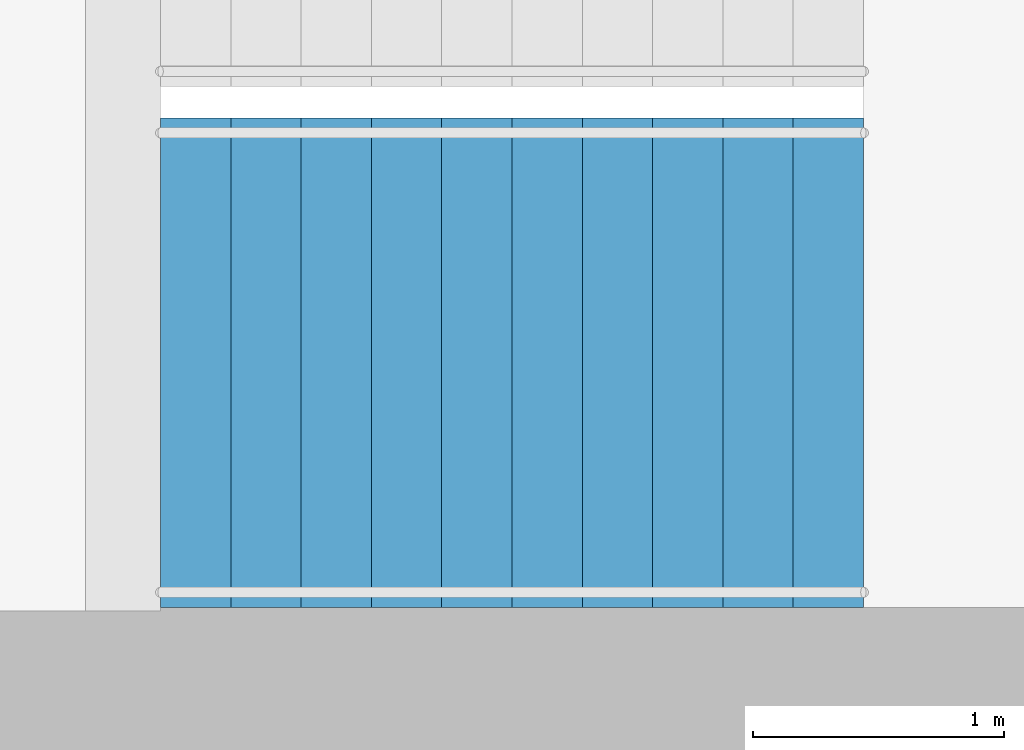
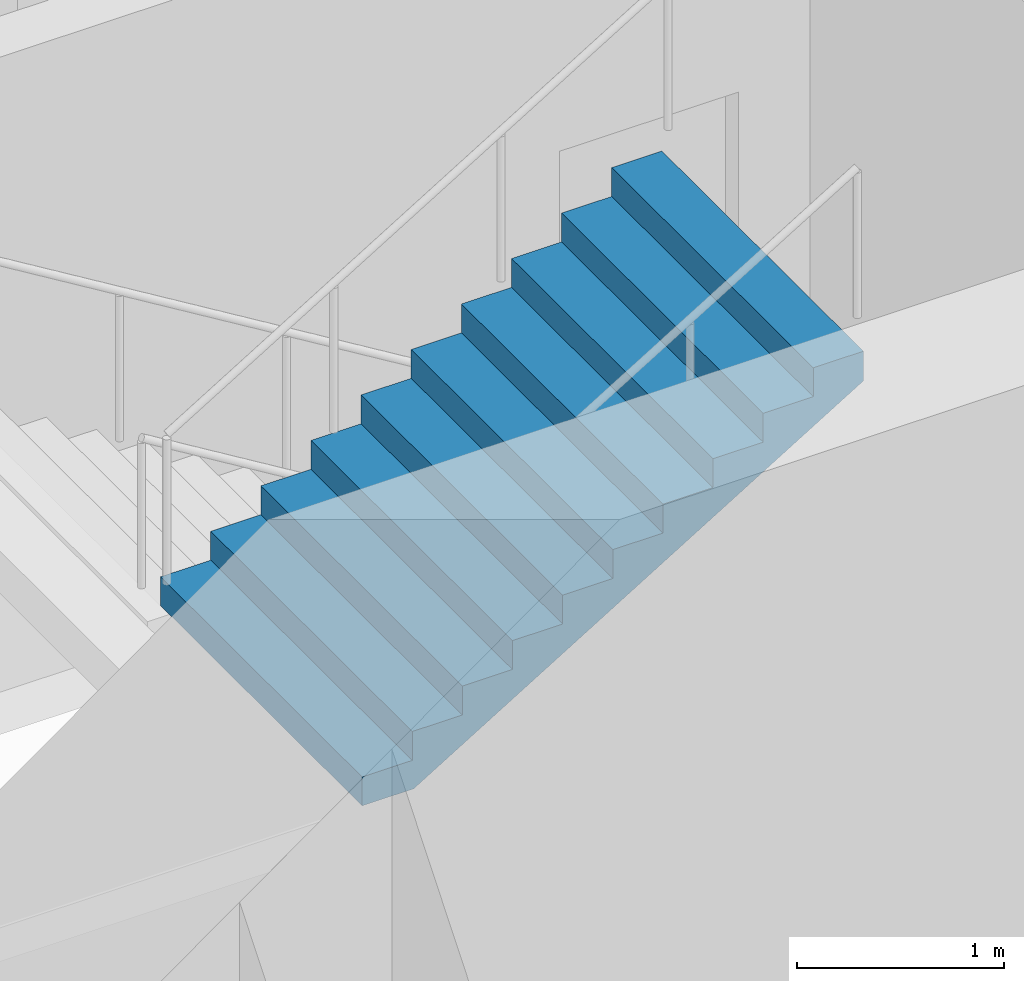
# One storey, part 20 of 22: 1 stair flight, 1 element without a shape of its own.
"""IFC4 building model written with IfcOpenShell, lengths in metres."""

from ifc_helpers import new_model, si_unit, direction, frame, origin, place, context, subcontext, project, spatial, triangles, material, type_object, element, aggregate, save


model = new_model("IFC4")

# Units and contexts
model_context = context("Model", 3, precision=1e-05, world=origin(), true_north=direction((0.0, 1.0)))
body_context = subcontext(model_context, "Body", "Model", "MODEL_VIEW")
ifc_project = project(units=[si_unit("LENGTHUNIT", "METRE"), si_unit("AREAUNIT", "SQUARE_METRE"), si_unit("VOLUMEUNIT", "CUBIC_METRE"), si_unit("PLANEANGLEUNIT", "RADIAN"), si_unit("MASSUNIT", "GRAM", prefix="KILO")], contexts=[model_context])

# Site, building, storey
site_placement = place(None, origin())
site = spatial("IfcSite", under=ifc_project, at=site_placement, CompositionType="ELEMENT")
building_placement = place(site_placement, origin())
building = spatial("IfcBuilding", under=site, at=building_placement, Name="Orbita Commons", CompositionType="ELEMENT")
storey_placement = place(building_placement, frame((0.0, 0.0, 182.35009765625)))
storey = spatial("IfcBuildingStorey", under=building, at=storey_placement, Name="L45", CompositionType="ELEMENT", Elevation=182.35009765625)

# Stair, stair flight
ifc_material_1 = material(Name="Precast concrete C40/50", Category="concrete")
stair_type = type_object("IfcStairType", Name="Exit stair S2 2 flights 11 risers 170", PredefinedType="HALF_TURN_STAIR", material=ifc_material_1)
stair_placement = place(storey_placement, origin())
stair = element("IfcStair", 1, at=stair_placement, inside=storey, type_object=stair_type, Name="Exit stair S2 L45", PredefinedType="HALF_TURN_STAIR")
ifc_material_2 = material(Name="Precast concrete C40/50", Category="concrete")
stair_flight_type = type_object("IfcStairFlightType", Name="Stair flight 11 risers 170 x 280", PredefinedType="STRAIGHT", material=ifc_material_2)
stair_flight_placement = place(storey_placement, frame((60.75, 27.199951171875, 1.875), z_axis=(0.0, 0.0, 1.0), x_axis=(1.0, 0.0, 0.0)))
stair_flight = element("IfcStairFlight", 2, at=stair_flight_placement, type_object=stair_flight_type, Name="S2 flight 2", NumberOfRisers=11, NumberOfTreads=10, PredefinedType="STRAIGHT", RiserHeight=0.170454545, TreadLength=0.28, context=body_context, shape_type="Tessellation", body=[
    triangles([(0.0, 0.974976, 0.0), (0.0, 0.974976, 0.021307), (0.0, 0.81248, 0.021307), (0.0, 0.81248, 0.0), (0.0, 0.649984, 0.021307), (0.0, 0.649984, 0.0), (0.0, 0.487488, 0.021307), (0.0, 0.487488, 0.0), (0.0, 0.324992, 0.021307), (0.0, 0.324992, 0.0), (0.0, 0.162496, 0.021307), (0.0, 0.162496, 0.0), (0.0, 0.0, 0.021307), (0.0, 0.0, 0.0), (0.0, -0.162496, 0.021307), (0.0, -0.162496, 0.0), (0.0, -0.324992, 0.021307), (0.0, -0.324992, 0.0), (0.0, -0.487488, 0.021307), (0.0, -0.487488, 0.0), (0.0, -0.649984, 0.021307), (0.0, -0.649984, 0.0), (0.0, -0.81248, 0.021307), (0.0, -0.81248, 0.0), (0.0, -0.974976, 0.021307), (0.0, -0.974976, 0.0), (0.0, 0.974976, 0.042614), (0.0, 0.81248, 0.042614), (0.0, 0.649984, 0.042614), (0.0, 0.487488, 0.042614), (0.0, 0.324992, 0.042614), (0.0, 0.162496, 0.042614), (0.0, 0.0, 0.042614), (0.0, -0.162496, 0.042614), (0.0, -0.324992, 0.042614), (0.0, -0.487488, 0.042614), (0.0, -0.649984, 0.042614), (0.0, -0.81248, 0.042614), (0.0, -0.974976, 0.042614), (0.0, 0.974976, 0.06392), (0.0, 0.81248, 0.06392), (0.0, 0.649984, 0.06392), (0.0, 0.487488, 0.06392), (0.0, 0.324992, 0.06392), (0.0, 0.162496, 0.06392), (0.0, 0.0, 0.06392), (0.0, -0.162496, 0.06392), (0.0, -0.324992, 0.06392), (0.0, -0.487488, 0.06392), (0.0, -0.649984, 0.06392), (0.0, -0.81248, 0.06392), (0.0, -0.974976, 0.06392), (0.0, 0.974976, 0.085227), (0.0, 0.81248, 0.085227), (0.0, 0.649984, 0.085227), (0.0, 0.487488, 0.085227), (0.0, 0.324992, 0.085227), (0.0, 0.162496, 0.085227), (0.0, 0.0, 0.085227), (0.0, -0.162496, 0.085227), (0.0, -0.324992, 0.085227), (0.0, -0.487488, 0.085227), (0.0, -0.649984, 0.085227), (0.0, -0.81248, 0.085227), (0.0, -0.974976, 0.085227), (0.0, 0.974976, 0.106534), (0.0, 0.81248, 0.106534), (0.0, 0.649984, 0.106534), (0.0, 0.487488, 0.106534), (0.0, 0.324992, 0.106534), (0.0, 0.162496, 0.106534), (0.0, 0.0, 0.106534), (0.0, -0.162496, 0.106534), (0.0, -0.324992, 0.106534), (0.0, -0.487488, 0.106534), (0.0, -0.649984, 0.106534), (0.0, -0.81248, 0.106534), (0.0, -0.974976, 0.106534), (0.0, 0.974976, 0.127841), (0.0, 0.81248, 0.127841), (0.0, 0.649984, 0.127841), (0.0, 0.487488, 0.127841), (0.0, 0.324992, 0.127841), (0.0, 0.162496, 0.127841), (0.0, 0.0, 0.127841), (0.0, -0.162496, 0.127841), (0.0, -0.324992, 0.127841), (0.0, -0.487488, 0.127841), (0.0, -0.649984, 0.127841), (0.0, -0.81248, 0.127841), (0.0, -0.974976, 0.127841), (0.0, 0.974976, 0.149148), (0.0, 0.81248, 0.149148), (0.0, 0.649984, 0.149148), (0.0, 0.487488, 0.149148), (0.0, 0.324992, 0.149148), (0.0, 0.162496, 0.149148), (0.0, 0.0, 0.149148), (0.0, -0.162496, 0.149148), (0.0, -0.324992, 0.149148), (0.0, -0.487488, 0.149148), (0.0, -0.649984, 0.149148), (0.0, -0.81248, 0.149148), (0.0, -0.974976, 0.149148), (0.0, 0.974976, 0.170455), (0.0, 0.81248, 0.170455), (0.0, 0.649984, 0.170455), (0.0, 0.487488, 0.170455), (0.0, 0.324992, 0.170455), (0.0, 0.162496, 0.170455), (0.0, 0.0, 0.170455), (0.0, -0.162496, 0.170455), (0.0, -0.324992, 0.170455), (0.0, -0.487488, 0.170455), (0.0, -0.649984, 0.170455), (0.0, -0.81248, 0.170455), (0.0, -0.974976, 0.170455), (0.28, 0.974976, 0.170455), (0.28, 0.81248, 0.170455), (0.28, 0.649984, 0.170455), (0.28, 0.487488, 0.170455), (0.28, 0.324992, 0.170455), (0.28, 0.162496, 0.170455), (0.28, 0.0, 0.170455), (0.28, -0.162496, 0.170455), (0.28, -0.324992, 0.170455), (0.28, -0.487488, 0.170455), (0.28, -0.649984, 0.170455), (0.28, -0.81248, 0.170455), (0.28, -0.974976, 0.170455), (0.28, 0.974976, 0.340909), (0.28, 0.81248, 0.340909), (0.28, 0.649984, 0.340909), (0.28, 0.487488, 0.340909), (0.28, 0.324992, 0.340909), (0.28, 0.162496, 0.340909), (0.28, 0.0, 0.340909), (0.28, -0.162496, 0.340909), (0.28, -0.324992, 0.340909), (0.28, -0.487488, 0.340909), (0.28, -0.649984, 0.340909), (0.28, -0.81248, 0.340909), (0.28, -0.974976, 0.340909), (0.56, 0.974976, 0.340909), (0.56, 0.81248, 0.340909), (0.56, 0.649984, 0.340909), (0.56, 0.487488, 0.340909), (0.56, 0.324992, 0.340909), (0.56, 0.162496, 0.340909), (0.56, 0.0, 0.340909), (0.56, -0.162496, 0.340909), (0.56, -0.324992, 0.340909), (0.56, -0.487488, 0.340909), (0.56, -0.649984, 0.340909), (0.56, -0.81248, 0.340909), (0.56, -0.974976, 0.340909), (0.56, 0.974976, 0.511364), (0.56, 0.81248, 0.511364), (0.56, 0.649984, 0.511364), (0.56, 0.487488, 0.511364), (0.56, 0.324992, 0.511364), (0.56, 0.162496, 0.511364), (0.56, 0.0, 0.511364), (0.56, -0.162496, 0.511364), (0.56, -0.324992, 0.511364), (0.56, -0.487488, 0.511364), (0.56, -0.649984, 0.511364), (0.56, -0.81248, 0.511364), (0.56, -0.974976, 0.511364), (0.84, 0.974976, 0.511364), (0.84, 0.81248, 0.511364), (0.84, 0.649984, 0.511364), (0.84, 0.487488, 0.511364), (0.84, 0.324992, 0.511364), (0.84, 0.162496, 0.511364), (0.84, 0.0, 0.511364), (0.84, -0.162496, 0.511364), (0.84, -0.324992, 0.511364), (0.84, -0.487488, 0.511364), (0.84, -0.649984, 0.511364), (0.84, -0.81248, 0.511364), (0.84, -0.974976, 0.511364), (0.84, 0.974976, 0.681818), (0.84, 0.81248, 0.681818), (0.84, 0.649984, 0.681818), (0.84, 0.487488, 0.681818), (0.84, 0.324992, 0.681818), (0.84, 0.162496, 0.681818), (0.84, 0.0, 0.681818), (0.84, -0.162496, 0.681818), (0.84, -0.324992, 0.681818), (0.84, -0.487488, 0.681818), (0.84, -0.649984, 0.681818), (0.84, -0.81248, 0.681818), (0.84, -0.974976, 0.681818), (1.12, 0.974976, 0.681818), (1.12, 0.81248, 0.681818), (1.12, 0.649984, 0.681818), (1.12, 0.487488, 0.681818), (1.12, 0.324992, 0.681818), (1.12, 0.162496, 0.681818), (1.12, 0.0, 0.681818), (1.12, -0.162496, 0.681818), (1.12, -0.324992, 0.681818), (1.12, -0.487488, 0.681818), (1.12, -0.649984, 0.681818), (1.12, -0.81248, 0.681818), (1.12, -0.974976, 0.681818), (1.12, 0.974976, 0.852273), (1.12, 0.81248, 0.852273), (1.12, 0.649984, 0.852273), (1.12, 0.487488, 0.852273), (1.12, 0.324992, 0.852273), (1.12, 0.162496, 0.852273), (1.12, 0.0, 0.852273), (1.12, -0.162496, 0.852273), (1.12, -0.324992, 0.852273), (1.12, -0.487488, 0.852273), (1.12, -0.649984, 0.852273), (1.12, -0.81248, 0.852273), (1.12, -0.974976, 0.852273), (1.4, 0.974976, 0.852273), (1.4, 0.81248, 0.852273), (1.4, 0.649984, 0.852273), (1.4, 0.487488, 0.852273), (1.4, 0.324992, 0.852273), (1.4, 0.162496, 0.852273), (1.4, 0.0, 0.852273), (1.4, -0.162496, 0.852273), (1.4, -0.324992, 0.852273), (1.4, -0.487488, 0.852273), (1.4, -0.649984, 0.852273), (1.4, -0.81248, 0.852273), (1.4, -0.974976, 0.852273), (1.4, 0.974976, 1.022727), (1.4, 0.81248, 1.022727), (1.4, 0.649984, 1.022727), (1.4, 0.487488, 1.022727), (1.4, 0.324992, 1.022727), (1.4, 0.162496, 1.022727), (1.4, 0.0, 1.022727), (1.4, -0.162496, 1.022727), (1.4, -0.324992, 1.022727), (1.4, -0.487488, 1.022727), (1.4, -0.649984, 1.022727), (1.4, -0.81248, 1.022727), (1.4, -0.974976, 1.022727), (1.68, 0.974976, 1.022727), (1.68, 0.81248, 1.022727), (1.68, 0.649984, 1.022727), (1.68, 0.487488, 1.022727), (1.68, 0.324992, 1.022727), (1.68, 0.162496, 1.022727), (1.68, 0.0, 1.022727), (1.68, -0.162496, 1.022727), (1.68, -0.324992, 1.022727), (1.68, -0.487488, 1.022727), (1.68, -0.649984, 1.022727), (1.68, -0.81248, 1.022727), (1.68, -0.974976, 1.022727), (1.68, 0.974976, 1.193182), (1.68, 0.81248, 1.193182), (1.68, 0.649984, 1.193182), (1.68, 0.487488, 1.193182), (1.68, 0.324992, 1.193182), (1.68, 0.162496, 1.193182), (1.68, 0.0, 1.193182), (1.68, -0.162496, 1.193182), (1.68, -0.324992, 1.193182), (1.68, -0.487488, 1.193182), (1.68, -0.649984, 1.193182), (1.68, -0.81248, 1.193182), (1.68, -0.974976, 1.193182), (1.96, 0.974976, 1.193182), (1.96, 0.81248, 1.193182), (1.96, 0.649984, 1.193182), (1.96, 0.487488, 1.193182), (1.96, 0.324992, 1.193182), (1.96, 0.162496, 1.193182), (1.96, 0.0, 1.193182), (1.96, -0.162496, 1.193182), (1.96, -0.324992, 1.193182), (1.96, -0.487488, 1.193182), (1.96, -0.649984, 1.193182), (1.96, -0.81248, 1.193182), (1.96, -0.974976, 1.193182), (1.96, 0.974976, 1.363636), (1.96, 0.81248, 1.363636), (1.96, 0.649984, 1.363636), (1.96, 0.487488, 1.363636), (1.96, 0.324992, 1.363636), (1.96, 0.162496, 1.363636), (1.96, 0.0, 1.363636), (1.96, -0.162496, 1.363636), (1.96, -0.324992, 1.363636), (1.96, -0.487488, 1.363636), (1.96, -0.649984, 1.363636), (1.96, -0.81248, 1.363636), (1.96, -0.974976, 1.363636), (2.24, 0.974976, 1.363636), (2.24, 0.81248, 1.363636), (2.24, 0.649984, 1.363636), (2.24, 0.487488, 1.363636), (2.24, 0.324992, 1.363636), (2.24, 0.162496, 1.363636), (2.24, 0.0, 1.363636), (2.24, -0.162496, 1.363636), (2.24, -0.324992, 1.363636), (2.24, -0.487488, 1.363636), (2.24, -0.649984, 1.363636), (2.24, -0.81248, 1.363636), (2.24, -0.974976, 1.363636), (2.24, 0.974976, 1.534091), (2.24, 0.81248, 1.534091), (2.24, 0.649984, 1.534091), (2.24, 0.487488, 1.534091), (2.24, 0.324992, 1.534091), (2.24, 0.162496, 1.534091), (2.24, 0.0, 1.534091), (2.24, -0.162496, 1.534091), (2.24, -0.324992, 1.534091), (2.24, -0.487488, 1.534091), (2.24, -0.649984, 1.534091), (2.24, -0.81248, 1.534091), (2.24, -0.974976, 1.534091), (2.52, 0.974976, 1.534091), (2.52, 0.81248, 1.534091), (2.52, 0.649984, 1.534091), (2.52, 0.487488, 1.534091), (2.52, 0.324992, 1.534091), (2.52, 0.162496, 1.534091), (2.52, 0.0, 1.534091), (2.52, -0.162496, 1.534091), (2.52, -0.324992, 1.534091), (2.52, -0.487488, 1.534091), (2.52, -0.649984, 1.534091), (2.52, -0.81248, 1.534091), (2.52, -0.974976, 1.534091), (2.52, 0.974976, 1.704545), (2.52, 0.81248, 1.704545), (2.52, 0.649984, 1.704545), (2.52, 0.487488, 1.704545), (2.52, 0.324992, 1.704545), (2.52, 0.162496, 1.704545), (2.52, 0.0, 1.704545), (2.52, -0.162496, 1.704545), (2.52, -0.324992, 1.704545), (2.52, -0.487488, 1.704545), (2.52, -0.649984, 1.704545), (2.52, -0.81248, 1.704545), (2.52, -0.974976, 1.704545), (2.8, 0.974976, 1.704545), (2.8, 0.81248, 1.704545), (2.8, 0.649984, 1.704545), (2.8, 0.487488, 1.704545), (2.8, 0.324992, 1.704545), (2.8, 0.162496, 1.704545), (2.8, 0.0, 1.704545), (2.8, -0.162496, 1.704545), (2.8, -0.324992, 1.704545), (2.8, -0.487488, 1.704545), (2.8, -0.649984, 1.704545), (2.8, -0.81248, 1.704545), (2.8, -0.974976, 1.704545), (2.8, 0.974976, 1.682609), (2.8, 0.81248, 1.682609), (2.8, 0.649984, 1.682609), (2.8, 0.487488, 1.682609), (2.8, 0.324992, 1.682609), (2.8, 0.162496, 1.682609), (2.8, 0.0, 1.682609), (2.8, -0.162496, 1.682609), (2.8, -0.324992, 1.682609), (2.8, -0.487488, 1.682609), (2.8, -0.649984, 1.682609), (2.8, -0.81248, 1.682609), (2.8, -0.974976, 1.682609), (2.8, 0.974976, 1.660672), (2.8, 0.81248, 1.660672), (2.8, 0.649984, 1.660672), (2.8, 0.487488, 1.660672), (2.8, 0.324992, 1.660672), (2.8, 0.162496, 1.660672), (2.8, 0.0, 1.660672), (2.8, -0.162496, 1.660672), (2.8, -0.324992, 1.660672), (2.8, -0.487488, 1.660672), (2.8, -0.649984, 1.660672), (2.8, -0.81248, 1.660672), (2.8, -0.974976, 1.660672), (2.8, 0.974976, 1.638735), (2.8, 0.81248, 1.638735), (2.8, 0.649984, 1.638735), (2.8, 0.487488, 1.638735), (2.8, 0.324992, 1.638735), (2.8, 0.162496, 1.638735), (2.8, 0.0, 1.638735), (2.8, -0.162496, 1.638735), (2.8, -0.324992, 1.638735), (2.8, -0.487488, 1.638735), (2.8, -0.649984, 1.638735), (2.8, -0.81248, 1.638735), (2.8, -0.974976, 1.638735), (2.8, 0.974976, 1.616798), (2.8, 0.81248, 1.616798), (2.8, 0.649984, 1.616798), (2.8, 0.487488, 1.616798), (2.8, 0.324992, 1.616798), (2.8, 0.162496, 1.616798), (2.8, 0.0, 1.616798), (2.8, -0.162496, 1.616798), (2.8, -0.324992, 1.616798), (2.8, -0.487488, 1.616798), (2.8, -0.649984, 1.616798), (2.8, -0.81248, 1.616798), (2.8, -0.974976, 1.616798), (2.8, 0.974976, 1.594861), (2.8, 0.81248, 1.594861), (2.8, 0.649984, 1.594861), (2.8, 0.487488, 1.594861), (2.8, 0.324992, 1.594861), (2.8, 0.162496, 1.594861), (2.8, 0.0, 1.594861), (2.8, -0.162496, 1.594861), (2.8, -0.324992, 1.594861), (2.8, -0.487488, 1.594861), (2.8, -0.649984, 1.594861), (2.8, -0.81248, 1.594861), (2.8, -0.974976, 1.594861), (2.8, 0.974976, 1.572925), (2.8, 0.81248, 1.572925), (2.8, 0.649984, 1.572925), (2.8, 0.487488, 1.572925), (2.8, 0.324992, 1.572925), (2.8, 0.162496, 1.572925), (2.8, 0.0, 1.572925), (2.8, -0.162496, 1.572925), (2.8, -0.324992, 1.572925), (2.8, -0.487488, 1.572925), (2.8, -0.649984, 1.572925), (2.8, -0.81248, 1.572925), (2.8, -0.974976, 1.572925), (2.8, 0.974976, 1.550988), (2.8, 0.81248, 1.550988), (2.8, 0.649984, 1.550988), (2.8, 0.487488, 1.550988), (2.8, 0.324992, 1.550988), (2.8, 0.162496, 1.550988), (2.8, 0.0, 1.550988), (2.8, -0.162496, 1.550988), (2.8, -0.324992, 1.550988), (2.8, -0.487488, 1.550988), (2.8, -0.649984, 1.550988), (2.8, -0.81248, 1.550988), (2.8, -0.974976, 1.550988), (2.8, 0.974976, 1.529051), (2.8, 0.81248, 1.529051), (2.8, 0.649984, 1.529051), (2.8, 0.487488, 1.529051), (2.8, 0.324992, 1.529051), (2.8, 0.162496, 1.529051), (2.8, 0.0, 1.529051), (2.8, -0.162496, 1.529051), (2.8, -0.324992, 1.529051), (2.8, -0.487488, 1.529051), (2.8, -0.649984, 1.529051), (2.8, -0.81248, 1.529051), (2.8, -0.974976, 1.529051), (0.288279, 0.974976, 0.0), (0.288279, 0.81248, 0.0), (0.288279, 0.649984, 0.0), (0.288279, 0.487488, 0.0), (0.288279, 0.324992, 0.0), (0.288279, 0.162496, 0.0), (0.288279, 0.0, 0.0), (0.288279, -0.162496, 0.0), (0.288279, -0.324992, 0.0), (0.288279, -0.487488, 0.0), (0.288279, -0.649984, 0.0), (0.288279, -0.81248, 0.0), (0.288279, -0.974976, 0.0)], [[3, 2, 1], [4, 3, 1], [5, 3, 4], [6, 5, 4], [7, 5, 6], [8, 7, 6], [9, 7, 8], [10, 9, 8], [11, 9, 10], [12, 11, 10], [13, 11, 12], [14, 13, 12], [15, 13, 14], [16, 15, 14], [17, 15, 16], [18, 17, 16], [19, 17, 18], [20, 19, 18], [21, 19, 20], [22, 21, 20], [23, 21, 22], [24, 23, 22], [25, 23, 24], [26, 25, 24], [28, 27, 2], [3, 28, 2], [29, 28, 3], [5, 29, 3], [30, 29, 5], [7, 30, 5], [31, 30, 7], [9, 31, 7], [32, 31, 9], [11, 32, 9], [33, 32, 11], [13, 33, 11], [34, 33, 13], [15, 34, 13], [35, 34, 15], [17, 35, 15], [36, 35, 17], [19, 36, 17], [37, 36, 19], [21, 37, 19], [38, 37, 21], [23, 38, 21], [39, 38, 23], [25, 39, 23], [41, 40, 27], [28, 41, 27], [42, 41, 28], [29, 42, 28], [43, 42, 29], [30, 43, 29], [44, 43, 30], [31, 44, 30], [45, 44, 31], [32, 45, 31], [46, 45, 32], [33, 46, 32], [47, 46, 33], [34, 47, 33], [48, 47, 34], [35, 48, 34], [49, 48, 35], [36, 49, 35], [50, 49, 36], [37, 50, 36], [51, 50, 37], [38, 51, 37], [52, 51, 38], [39, 52, 38], [54, 53, 40], [41, 54, 40], [55, 54, 41], [42, 55, 41], [56, 55, 42], [43, 56, 42], [57, 56, 43], [44, 57, 43], [58, 57, 44], [45, 58, 44], [59, 58, 45], [46, 59, 45], [60, 59, 46], [47, 60, 46], [61, 60, 47], [48, 61, 47], [62, 61, 48], [49, 62, 48], [63, 62, 49], [50, 63, 49], [64, 63, 50], [51, 64, 50], [65, 64, 51], [52, 65, 51], [67, 66, 53], [54, 67, 53], [68, 67, 54], [55, 68, 54], [69, 68, 55], [56, 69, 55], [70, 69, 56], [57, 70, 56], [71, 70, 57], [58, 71, 57], [72, 71, 58], [59, 72, 58], [73, 72, 59], [60, 73, 59], [74, 73, 60], [61, 74, 60], [75, 74, 61], [62, 75, 61], [76, 75, 62], [63, 76, 62], [77, 76, 63], [64, 77, 63], [78, 77, 64], [65, 78, 64], [80, 79, 66], [67, 80, 66], [81, 80, 67], [68, 81, 67], [82, 81, 68], [69, 82, 68], [83, 82, 69], [70, 83, 69], [84, 83, 70], [71, 84, 70], [85, 84, 71], [72, 85, 71], [86, 85, 72], [73, 86, 72], [87, 86, 73], [74, 87, 73], [88, 87, 74], [75, 88, 74], [89, 88, 75], [76, 89, 75], [90, 89, 76], [77, 90, 76], [91, 90, 77], [78, 91, 77], [93, 92, 79], [80, 93, 79], [94, 93, 80], [81, 94, 80], [95, 94, 81], [82, 95, 81], [96, 95, 82], [83, 96, 82], [97, 96, 83], [84, 97, 83], [98, 97, 84], [85, 98, 84], [99, 98, 85], [86, 99, 85], [100, 99, 86], [87, 100, 86], [101, 100, 87], [88, 101, 87], [102, 101, 88], [89, 102, 88], [103, 102, 89], [90, 103, 89], [104, 103, 90], [91, 104, 90], [106, 105, 92], [93, 106, 92], [107, 106, 93], [94, 107, 93], [108, 107, 94], [95, 108, 94], [109, 108, 95], [96, 109, 95], [110, 109, 96], [97, 110, 96], [111, 110, 97], [98, 111, 97], [112, 111, 98], [99, 112, 98], [113, 112, 99], [100, 113, 99], [114, 113, 100], [101, 114, 100], [115, 114, 101], [102, 115, 101], [116, 115, 102], [103, 116, 102], [117, 116, 103], [104, 117, 103], [119, 118, 105], [106, 119, 105], [120, 119, 106], [107, 120, 106], [121, 120, 107], [108, 121, 107], [122, 121, 108], [109, 122, 108], [123, 122, 109], [110, 123, 109], [124, 123, 110], [111, 124, 110], [125, 124, 111], [112, 125, 111], [126, 125, 112], [113, 126, 112], [127, 126, 113], [114, 127, 113], [128, 127, 114], [115, 128, 114], [129, 128, 115], [116, 129, 115], [130, 129, 116], [117, 130, 116], [132, 131, 118], [119, 132, 118], [133, 132, 119], [120, 133, 119], [134, 133, 120], [121, 134, 120], [135, 134, 121], [122, 135, 121], [136, 135, 122], [123, 136, 122], [137, 136, 123], [124, 137, 123], [138, 137, 124], [125, 138, 124], [139, 138, 125], [126, 139, 125], [140, 139, 126], [127, 140, 126], [141, 140, 127], [128, 141, 127], [142, 141, 128], [129, 142, 128], [143, 142, 129], [130, 143, 129], [145, 144, 131], [132, 145, 131], [146, 145, 132], [133, 146, 132], [147, 146, 133], [134, 147, 133], [148, 147, 134], [135, 148, 134], [149, 148, 135], [136, 149, 135], [150, 149, 136], [137, 150, 136], [151, 150, 137], [138, 151, 137], [152, 151, 138], [139, 152, 138], [153, 152, 139], [140, 153, 139], [154, 153, 140], [141, 154, 140], [155, 154, 141], [142, 155, 141], [156, 155, 142], [143, 156, 142], [158, 157, 144], [145, 158, 144], [159, 158, 145], [146, 159, 145], [160, 159, 146], [147, 160, 146], [161, 160, 147], [148, 161, 147], [162, 161, 148], [149, 162, 148], [163, 162, 149], [150, 163, 149], [164, 163, 150], [151, 164, 150], [165, 164, 151], [152, 165, 151], [166, 165, 152], [153, 166, 152], [167, 166, 153], [154, 167, 153], [168, 167, 154], [155, 168, 154], [169, 168, 155], [156, 169, 155], [171, 170, 157], [158, 171, 157], [172, 171, 158], [159, 172, 158], [173, 172, 159], [160, 173, 159], [174, 173, 160], [161, 174, 160], [175, 174, 161], [162, 175, 161], [176, 175, 162], [163, 176, 162], [177, 176, 163], [164, 177, 163], [178, 177, 164], [165, 178, 164], [179, 178, 165], [166, 179, 165], [180, 179, 166], [167, 180, 166], [181, 180, 167], [168, 181, 167], [182, 181, 168], [169, 182, 168], [184, 183, 170], [171, 184, 170], [185, 184, 171], [172, 185, 171], [186, 185, 172], [173, 186, 172], [187, 186, 173], [174, 187, 173], [188, 187, 174], [175, 188, 174], [189, 188, 175], [176, 189, 175], [190, 189, 176], [177, 190, 176], [191, 190, 177], [178, 191, 177], [192, 191, 178], [179, 192, 178], [193, 192, 179], [180, 193, 179], [194, 193, 180], [181, 194, 180], [195, 194, 181], [182, 195, 181], [197, 196, 183], [184, 197, 183], [198, 197, 184], [185, 198, 184], [199, 198, 185], [186, 199, 185], [200, 199, 186], [187, 200, 186], [201, 200, 187], [188, 201, 187], [202, 201, 188], [189, 202, 188], [203, 202, 189], [190, 203, 189], [204, 203, 190], [191, 204, 190], [205, 204, 191], [192, 205, 191], [206, 205, 192], [193, 206, 192], [207, 206, 193], [194, 207, 193], [208, 207, 194], [195, 208, 194], [210, 209, 196], [197, 210, 196], [211, 210, 197], [198, 211, 197], [212, 211, 198], [199, 212, 198], [213, 212, 199], [200, 213, 199], [214, 213, 200], [201, 214, 200], [215, 214, 201], [202, 215, 201], [216, 215, 202], [203, 216, 202], [217, 216, 203], [204, 217, 203], [218, 217, 204], [205, 218, 204], [219, 218, 205], [206, 219, 205], [220, 219, 206], [207, 220, 206], [221, 220, 207], [208, 221, 207], [223, 222, 209], [210, 223, 209], [224, 223, 210], [211, 224, 210], [225, 224, 211], [212, 225, 211], [226, 225, 212], [213, 226, 212], [227, 226, 213], [214, 227, 213], [228, 227, 214], [215, 228, 214], [229, 228, 215], [216, 229, 215], [230, 229, 216], [217, 230, 216], [231, 230, 217], [218, 231, 217], [232, 231, 218], [219, 232, 218], [233, 232, 219], [220, 233, 219], [234, 233, 220], [221, 234, 220], [236, 235, 222], [223, 236, 222], [237, 236, 223], [224, 237, 223], [238, 237, 224], [225, 238, 224], [239, 238, 225], [226, 239, 225], [240, 239, 226], [227, 240, 226], [241, 240, 227], [228, 241, 227], [242, 241, 228], [229, 242, 228], [243, 242, 229], [230, 243, 229], [244, 243, 230], [231, 244, 230], [245, 244, 231], [232, 245, 231], [246, 245, 232], [233, 246, 232], [247, 246, 233], [234, 247, 233], [249, 248, 235], [236, 249, 235], [250, 249, 236], [237, 250, 236], [251, 250, 237], [238, 251, 237], [252, 251, 238], [239, 252, 238], [253, 252, 239], [240, 253, 239], [254, 253, 240], [241, 254, 240], [255, 254, 241], [242, 255, 241], [256, 255, 242], [243, 256, 242], [257, 256, 243], [244, 257, 243], [258, 257, 244], [245, 258, 244], [259, 258, 245], [246, 259, 245], [260, 259, 246], [247, 260, 246], [262, 261, 248], [249, 262, 248], [263, 262, 249], [250, 263, 249], [264, 263, 250], [251, 264, 250], [265, 264, 251], [252, 265, 251], [266, 265, 252], [253, 266, 252], [267, 266, 253], [254, 267, 253], [268, 267, 254], [255, 268, 254], [269, 268, 255], [256, 269, 255], [270, 269, 256], [257, 270, 256], [271, 270, 257], [258, 271, 257], [272, 271, 258], [259, 272, 258], [273, 272, 259], [260, 273, 259], [275, 274, 261], [262, 275, 261], [276, 275, 262], [263, 276, 262], [277, 276, 263], [264, 277, 263], [278, 277, 264], [265, 278, 264], [279, 278, 265], [266, 279, 265], [280, 279, 266], [267, 280, 266], [281, 280, 267], [268, 281, 267], [282, 281, 268], [269, 282, 268], [283, 282, 269], [270, 283, 269], [284, 283, 270], [271, 284, 270], [285, 284, 271], [272, 285, 271], [286, 285, 272], [273, 286, 272], [288, 287, 274], [275, 288, 274], [289, 288, 275], [276, 289, 275], [290, 289, 276], [277, 290, 276], [291, 290, 277], [278, 291, 277], [292, 291, 278], [279, 292, 278], [293, 292, 279], [280, 293, 279], [294, 293, 280], [281, 294, 280], [295, 294, 281], [282, 295, 281], [296, 295, 282], [283, 296, 282], [297, 296, 283], [284, 297, 283], [298, 297, 284], [285, 298, 284], [299, 298, 285], [286, 299, 285], [301, 300, 287], [288, 301, 287], [302, 301, 288], [289, 302, 288], [303, 302, 289], [290, 303, 289], [304, 303, 290], [291, 304, 290], [305, 304, 291], [292, 305, 291], [306, 305, 292], [293, 306, 292], [307, 306, 293], [294, 307, 293], [308, 307, 294], [295, 308, 294], [309, 308, 295], [296, 309, 295], [310, 309, 296], [297, 310, 296], [311, 310, 297], [298, 311, 297], [312, 311, 298], [299, 312, 298], [314, 313, 300], [301, 314, 300], [315, 314, 301], [302, 315, 301], [316, 315, 302], [303, 316, 302], [317, 316, 303], [304, 317, 303], [318, 317, 304], [305, 318, 304], [319, 318, 305], [306, 319, 305], [320, 319, 306], [307, 320, 306], [321, 320, 307], [308, 321, 307], [322, 321, 308], [309, 322, 308], [323, 322, 309], [310, 323, 309], [324, 323, 310], [311, 324, 310], [325, 324, 311], [312, 325, 311], [327, 326, 313], [314, 327, 313], [328, 327, 314], [315, 328, 314], [329, 328, 315], [316, 329, 315], [330, 329, 316], [317, 330, 316], [331, 330, 317], [318, 331, 317], [332, 331, 318], [319, 332, 318], [333, 332, 319], [320, 333, 319], [334, 333, 320], [321, 334, 320], [335, 334, 321], [322, 335, 321], [336, 335, 322], [323, 336, 322], [337, 336, 323], [324, 337, 323], [338, 337, 324], [325, 338, 324], [340, 339, 326], [327, 340, 326], [341, 340, 327], [328, 341, 327], [342, 341, 328], [329, 342, 328], [343, 342, 329], [330, 343, 329], [344, 343, 330], [331, 344, 330], [345, 344, 331], [332, 345, 331], [346, 345, 332], [333, 346, 332], [347, 346, 333], [334, 347, 333], [348, 347, 334], [335, 348, 334], [349, 348, 335], [336, 349, 335], [350, 349, 336], [337, 350, 336], [351, 350, 337], [338, 351, 337], [353, 352, 339], [340, 353, 339], [354, 353, 340], [341, 354, 340], [355, 354, 341], [342, 355, 341], [356, 355, 342], [343, 356, 342], [357, 356, 343], [344, 357, 343], [358, 357, 344], [345, 358, 344], [359, 358, 345], [346, 359, 345], [360, 359, 346], [347, 360, 346], [361, 360, 347], [348, 361, 347], [362, 361, 348], [349, 362, 348], [363, 362, 349], [350, 363, 349], [364, 363, 350], [351, 364, 350], [366, 365, 352], [353, 366, 352], [367, 366, 353], [354, 367, 353], [368, 367, 354], [355, 368, 354], [369, 368, 355], [356, 369, 355], [370, 369, 356], [357, 370, 356], [371, 370, 357], [358, 371, 357], [372, 371, 358], [359, 372, 358], [373, 372, 359], [360, 373, 359], [374, 373, 360], [361, 374, 360], [375, 374, 361], [362, 375, 361], [376, 375, 362], [363, 376, 362], [377, 376, 363], [364, 377, 363], [379, 378, 365], [366, 379, 365], [380, 379, 366], [367, 380, 366], [381, 380, 367], [368, 381, 367], [382, 381, 368], [369, 382, 368], [383, 382, 369], [370, 383, 369], [384, 383, 370], [371, 384, 370], [385, 384, 371], [372, 385, 371], [386, 385, 372], [373, 386, 372], [387, 386, 373], [374, 387, 373], [388, 387, 374], [375, 388, 374], [389, 388, 375], [376, 389, 375], [390, 389, 376], [377, 390, 376], [392, 391, 378], [379, 392, 378], [393, 392, 379], [380, 393, 379], [394, 393, 380], [381, 394, 380], [395, 394, 381], [382, 395, 381], [396, 395, 382], [383, 396, 382], [397, 396, 383], [384, 397, 383], [398, 397, 384], [385, 398, 384], [399, 398, 385], [386, 399, 385], [400, 399, 386], [387, 400, 386], [401, 400, 387], [388, 401, 387], [402, 401, 388], [389, 402, 388], [403, 402, 389], [390, 403, 389], [405, 404, 391], [392, 405, 391], [406, 405, 392], [393, 406, 392], [407, 406, 393], [394, 407, 393], [408, 407, 394], [395, 408, 394], [409, 408, 395], [396, 409, 395], [410, 409, 396], [397, 410, 396], [411, 410, 397], [398, 411, 397], [412, 411, 398], [399, 412, 398], [413, 412, 399], [400, 413, 399], [414, 413, 400], [401, 414, 400], [415, 414, 401], [402, 415, 401], [416, 415, 402], [403, 416, 402], [418, 417, 404], [405, 418, 404], [419, 418, 405], [406, 419, 405], [420, 419, 406], [407, 420, 406], [421, 420, 407], [408, 421, 407], [422, 421, 408], [409, 422, 408], [423, 422, 409], [410, 423, 409], [424, 423, 410], [411, 424, 410], [425, 424, 411], [412, 425, 411], [426, 425, 412], [413, 426, 412], [427, 426, 413], [414, 427, 413], [428, 427, 414], [415, 428, 414], [429, 428, 415], [416, 429, 415], [431, 430, 417], [418, 431, 417], [432, 431, 418], [419, 432, 418], [433, 432, 419], [420, 433, 419], [434, 433, 420], [421, 434, 420], [435, 434, 421], [422, 435, 421], [436, 435, 422], [423, 436, 422], [437, 436, 423], [424, 437, 423], [438, 437, 424], [425, 438, 424], [439, 438, 425], [426, 439, 425], [440, 439, 426], [427, 440, 426], [441, 440, 427], [428, 441, 427], [442, 441, 428], [429, 442, 428], [444, 443, 430], [431, 444, 430], [445, 444, 431], [432, 445, 431], [446, 445, 432], [433, 446, 432], [447, 446, 433], [434, 447, 433], [448, 447, 434], [435, 448, 434], [449, 448, 435], [436, 449, 435], [450, 449, 436], [437, 450, 436], [451, 450, 437], [438, 451, 437], [452, 451, 438], [439, 452, 438], [453, 452, 439], [440, 453, 439], [454, 453, 440], [441, 454, 440], [455, 454, 441], [442, 455, 441], [457, 456, 443], [444, 457, 443], [458, 457, 444], [445, 458, 444], [459, 458, 445], [446, 459, 445], [460, 459, 446], [447, 460, 446], [461, 460, 447], [448, 461, 447], [462, 461, 448], [449, 462, 448], [463, 462, 449], [450, 463, 449], [464, 463, 450], [451, 464, 450], [465, 464, 451], [452, 465, 451], [466, 465, 452], [453, 466, 452], [467, 466, 453], [454, 467, 453], [468, 467, 454], [455, 468, 454], [470, 469, 456], [457, 470, 456], [471, 470, 457], [458, 471, 457], [472, 471, 458], [459, 472, 458], [473, 472, 459], [460, 473, 459], [474, 473, 460], [461, 474, 460], [475, 474, 461], [462, 475, 461], [476, 475, 462], [463, 476, 462], [477, 476, 463], [464, 477, 463], [478, 477, 464], [465, 478, 464], [479, 478, 465], [466, 479, 465], [480, 479, 466], [467, 480, 466], [481, 480, 467], [468, 481, 467], [4, 1, 469], [470, 4, 469], [6, 4, 470], [471, 6, 470], [8, 6, 471], [472, 8, 471], [10, 8, 472], [473, 10, 472], [12, 10, 473], [474, 12, 473], [14, 12, 474], [475, 14, 474], [16, 14, 475], [476, 16, 475], [18, 16, 476], [477, 18, 476], [20, 18, 477], [478, 20, 477], [22, 20, 478], [479, 22, 478], [24, 22, 479], [480, 24, 479], [26, 24, 480], [481, 26, 480], [456, 469, 1], [26, 481, 468], [443, 456, 1], [26, 468, 455], [430, 443, 1], [26, 455, 442], [417, 430, 1], [26, 442, 429], [404, 417, 1], [26, 429, 416], [391, 404, 1], [26, 416, 403], [378, 391, 1], [26, 403, 390], [365, 378, 1], [26, 390, 377], [339, 352, 365], [377, 364, 351], [326, 339, 365], [377, 351, 338], [300, 313, 326], [338, 325, 312], [300, 326, 365], [377, 338, 312], [274, 287, 300], [312, 299, 286], [274, 300, 365], [377, 312, 286], [248, 261, 274], [286, 273, 260], [248, 274, 365], [377, 286, 260], [222, 235, 248], [260, 247, 234], [222, 248, 365], [377, 260, 234], [196, 209, 222], [234, 221, 208], [196, 222, 365], [377, 234, 208], [170, 183, 196], [208, 195, 182], [170, 196, 365], [377, 208, 182], [144, 157, 170], [182, 169, 156], [144, 170, 365], [377, 182, 156], [118, 131, 144], [156, 143, 130], [118, 144, 365], [377, 156, 130], [118, 365, 1], [26, 377, 130], [92, 105, 118], [130, 117, 104], [79, 92, 118], [130, 104, 91], [66, 79, 118], [130, 91, 78], [53, 66, 118], [130, 78, 65], [40, 53, 118], [130, 65, 52], [27, 40, 118], [130, 52, 39], [2, 27, 118], [130, 39, 25], [1, 2, 118], [130, 25, 26]], closed=True),
])
aggregate(stair, [stair_flight])

save(model, "model.ifc")
